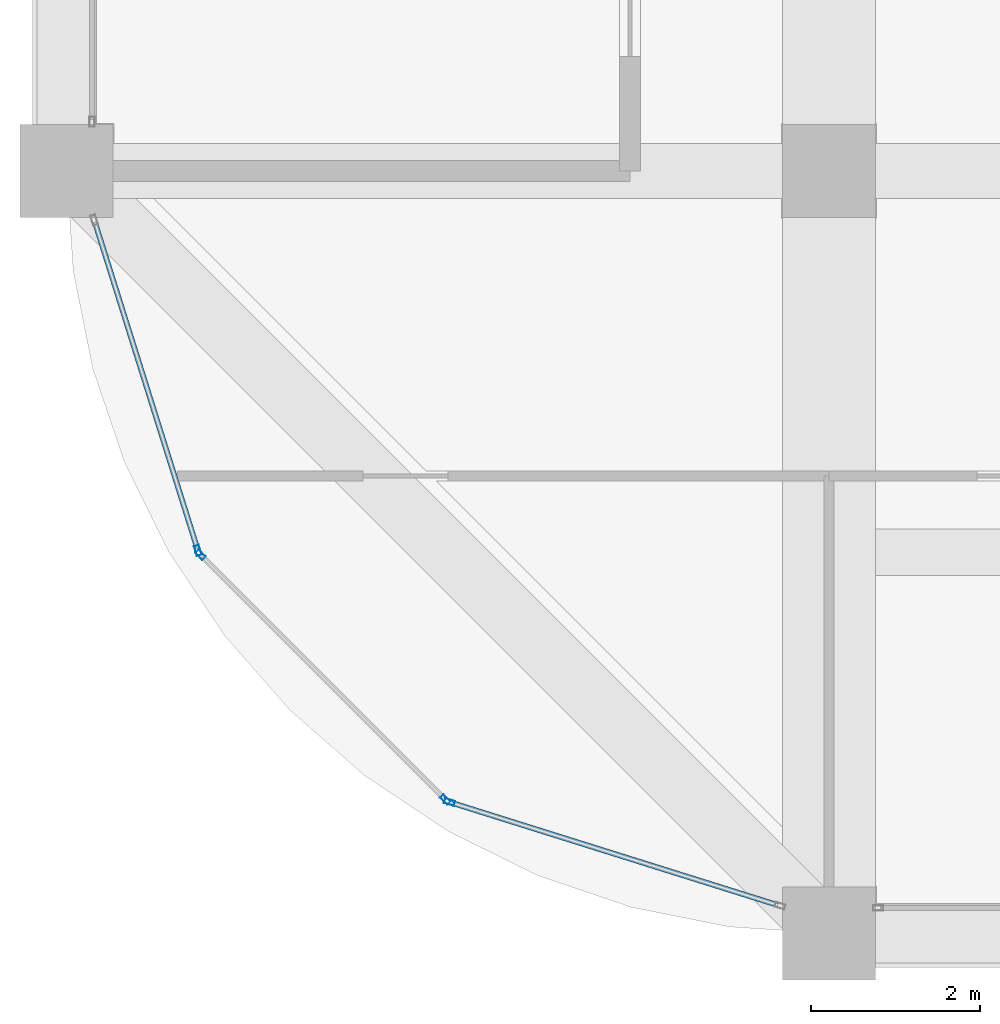
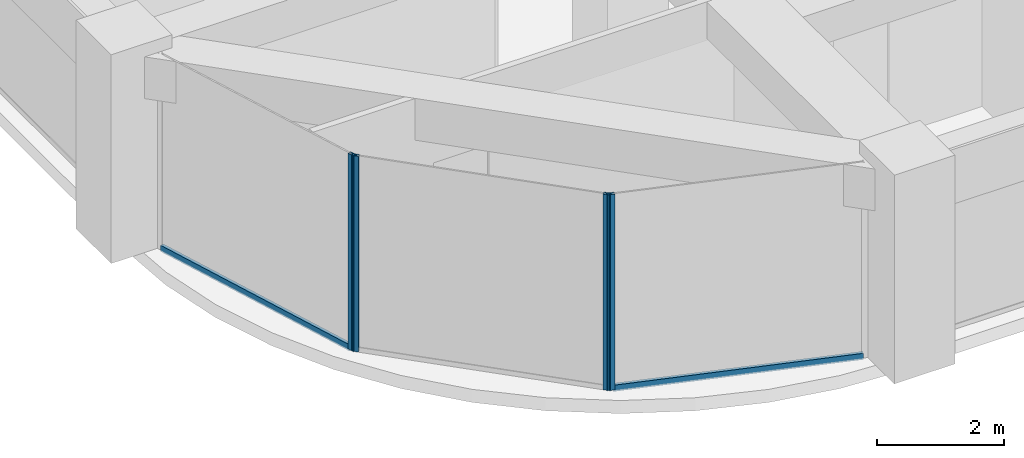
# One storey, part 2 of 44: 6 members, 3 elements without a shape of their own.
"""IFC4 building model written with IfcOpenShell, lengths in metres."""

from ifc_helpers import new_model, si_unit, direction, frame, origin, origin_2d, place, context, subcontext, project, spatial, hollow_rectangle, extrude, material, material_profile, profile_set, type_object, element, aggregate, save


model = new_model("IFC4")

# Units and contexts
model_context = context("Model", 3, precision=1e-05, world=origin(), true_north=direction((0.0, 1.0)))
body_context = subcontext(model_context, "Body", "Model", "MODEL_VIEW")
ifc_project = project(units=[si_unit("LENGTHUNIT", "METRE"), si_unit("AREAUNIT", "SQUARE_METRE"), si_unit("VOLUMEUNIT", "CUBIC_METRE"), si_unit("PLANEANGLEUNIT", "RADIAN"), si_unit("MASSUNIT", "GRAM", prefix="KILO")], contexts=[model_context])

# Site, building, storey
site_placement = place(None, origin())
site = spatial("IfcSite", under=ifc_project, at=site_placement, CompositionType="ELEMENT")
building_placement = place(site_placement, origin())
building = spatial("IfcBuilding", under=site, at=building_placement, Name="Zorevar Civic Tower", CompositionType="ELEMENT")
storey_placement = place(building_placement, frame((0.0, 0.0, 275.39990234375)))
storey = spatial("IfcBuildingStorey", under=building, at=storey_placement, Name="L67", CompositionType="ELEMENT", Elevation=275.39990234375)

# Curtain wall, member
ifc_material_1 = material(Name="Dark grey solar-control glass in black aluminium frame", Category="aluminium")
curtain_wall_type = type_object("IfcCurtainWallType", Name="Curtain wall CW5 top zone", PredefinedType="NOTDEFINED", material=ifc_material_1)
curtain_wall_1_placement = place(storey_placement, origin())
curtain_wall_1 = element("IfcCurtainWall", 1, at=curtain_wall_1_placement, inside=storey, type_object=curtain_wall_type, Name="CW5 L67", PredefinedType="NOTDEFINED")
ifc_material_2 = material(Name="Aluminium, black anodised", Category="aluminium")
ifc_material_profile_1 = material_profile(ifc_material_2, hollow_rectangle(XDim=0.06005859375, YDim=0.1201171875, WallThickness=0.0029296875, at=origin_2d()), Name="AL 120x60x3")
ifc_profile_set_1 = profile_set([ifc_material_profile_1], Name="Aluminium, black anodised")
member_type_1 = type_object("IfcMemberType", Name="CW5 mullion AL 120x60x3", PredefinedType="MULLION", material=ifc_profile_set_1)
member_1_placement = place(storey_placement, frame((10.550048828125, 4.520751953125, 0.0), z_axis=(0.0, 0.0, 1.0), x_axis=(0.954153437674, 0.299317920238, 0.0)))
member_1 = element("IfcMember", 2, at=member_1_placement, type_object=member_type_1, Name="CW5 mullion 2", PredefinedType="MULLION", context=body_context, shape_type="SweptSolid", body=[
    extrude(hollow_rectangle(XDim=0.06005859375, YDim=0.1201171875, WallThickness=0.0029296875, at=origin_2d()), origin(), (0.0, 0.0, 1.0), 3.75),
])

# Curtain wall, members
curtain_wall_2_placement = place(storey_placement, origin())
curtain_wall_2 = element("IfcCurtainWall", 3, at=curtain_wall_2_placement, inside=storey, type_object=curtain_wall_type, Name="CW5 L67", PredefinedType="NOTDEFINED")
member_2_placement = place(storey_placement, frame((10.580322265625, 4.470947265625, 0.0), z_axis=(0.0, 0.0, 1.0), x_axis=(0.707106781187, 0.707106781187, 0.0)))
member_2 = element("IfcMember", 4, at=member_2_placement, type_object=member_type_1, Name="CW5 mullion 1", PredefinedType="MULLION", context=body_context, shape_type="SweptSolid", body=[
    extrude(hollow_rectangle(XDim=0.06005859375, YDim=0.1201171875, WallThickness=0.0029296875, at=origin_2d()), origin(), (0.0, 0.0, 1.0), 3.75),
])
member_3_placement = place(storey_placement, frame((13.470947265625, 1.580322265625, 0.0), z_axis=(0.0, 0.0, 1.0), x_axis=(0.707106781187, 0.707106781187, 0.0)))
member_3 = element("IfcMember", 5, at=member_3_placement, type_object=member_type_1, Name="CW5 mullion 2", PredefinedType="MULLION", context=body_context, shape_type="SweptSolid", body=[
    extrude(hollow_rectangle(XDim=0.06005859375, YDim=0.1201171875, WallThickness=0.0029296875, at=origin_2d()), origin(), (0.0, 0.0, 1.0), 3.75),
])
aggregate(curtain_wall_2, [member_2, member_3])

# Curtain wall, member
curtain_wall_3_placement = place(storey_placement, origin())
curtain_wall_3 = element("IfcCurtainWall", 6, at=curtain_wall_3_placement, inside=storey, type_object=curtain_wall_type, Name="CW5 L67", PredefinedType="NOTDEFINED")
member_4_placement = place(storey_placement, frame((13.520751953125, 1.550048828125, 0.0), z_axis=(0.0, 0.0, 1.0), x_axis=(0.299317920238, 0.954153437674, 0.0)))
member_4 = element("IfcMember", 7, at=member_4_placement, type_object=member_type_1, Name="CW5 mullion 1", PredefinedType="MULLION", context=body_context, shape_type="SweptSolid", body=[
    extrude(hollow_rectangle(XDim=0.06005859375, YDim=0.1201171875, WallThickness=0.0029296875, at=origin_2d()), origin(), (0.0, 0.0, 1.0), 3.75),
])

# Member
ifc_material_3 = material(Name="Aluminium, black anodised", Category="aluminium")
ifc_material_profile_2 = material_profile(ifc_material_3, hollow_rectangle(XDim=0.06005859375, YDim=0.1201171875, WallThickness=0.0029296875, at=origin_2d()), Name="AL 120x60x3")
ifc_profile_set_2 = profile_set([ifc_material_profile_2], Name="Aluminium, black anodised")
member_type_2 = type_object("IfcMemberType", Name="CW5 transom AL 120x60x3", PredefinedType="USERDEFINED", material=ifc_profile_set_2)
member_5_placement = place(storey_placement, frame((9.33544921875, 8.392822265625, 0.030029296875), z_axis=(0.299285978047, -0.954163457351, 0.0), x_axis=(0.954163457351, 0.299285978047, 0.0)))
member_5 = element("IfcMember", 8, at=member_5_placement, type_object=member_type_2, Name="CW5 sill transom", ObjectType="TRANSOM", PredefinedType="USERDEFINED", context=body_context, shape_type="SweptSolid", body=[
    extrude(hollow_rectangle(XDim=0.06005859375, YDim=0.1201171875, WallThickness=0.0029296875, at=origin_2d()), origin(), (0.0, 0.0, 1.0), 4.028076171875),
])

aggregate(curtain_wall_1, [member_1, member_5])

member_6_placement = place(storey_placement, frame((13.54931640625, 1.541015625, 0.030029296875), z_axis=(0.954163457351, -0.299285978047, 0.0), x_axis=(0.299285978047, 0.954163457351, 0.0)))
member_6 = element("IfcMember", 9, at=member_6_placement, type_object=member_type_2, Name="CW5 sill transom", ObjectType="TRANSOM", PredefinedType="USERDEFINED", context=body_context, shape_type="SweptSolid", body=[
    extrude(hollow_rectangle(XDim=0.06005859375, YDim=0.1201171875, WallThickness=0.0029296875, at=origin_2d()), origin(), (0.0, 0.0, 1.0), 4.028076171875),
])

aggregate(curtain_wall_3, [member_4, member_6])

save(model, "model.ifc")
